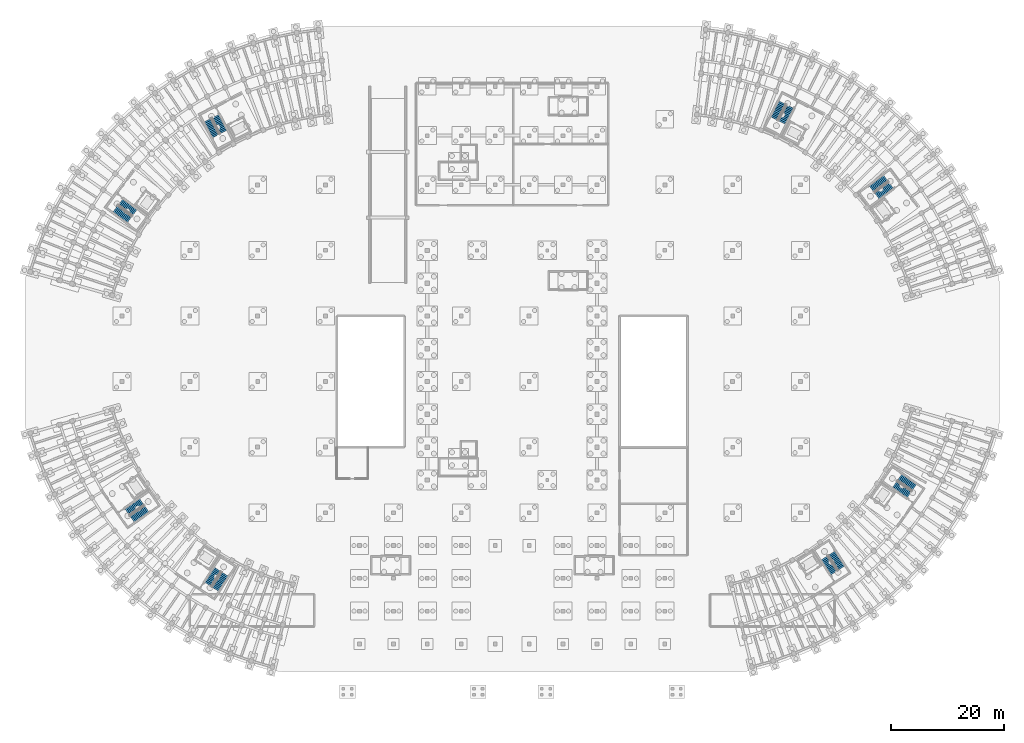
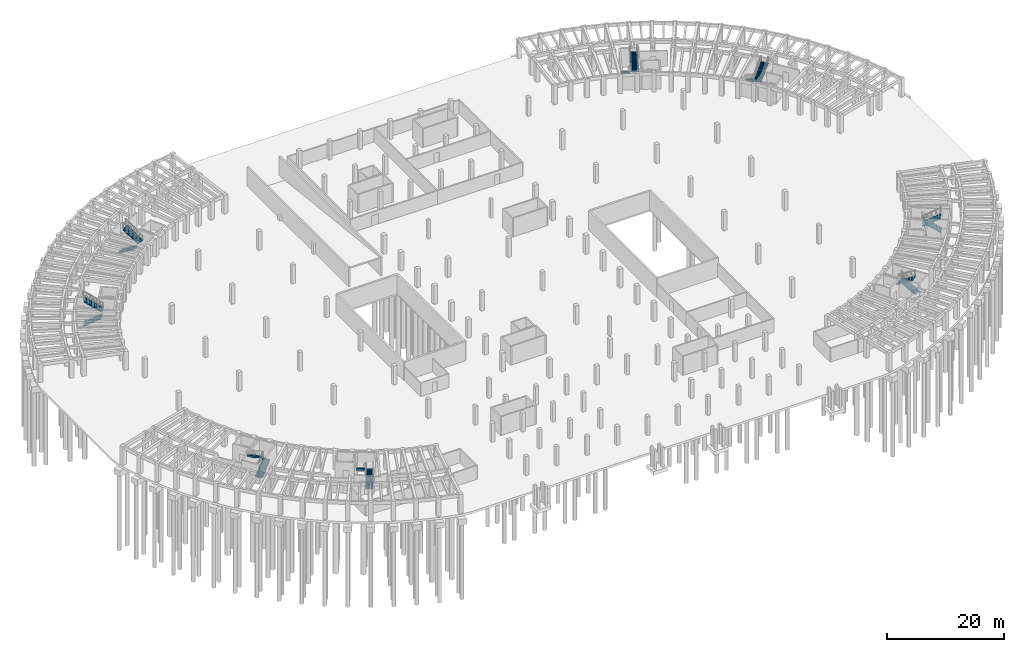
# One storey, part 24 of 29: 16 stair flights, 8 elements without a shape of their own.
"""IFC4 building model written with IfcOpenShell, lengths in metres."""

from ifc_helpers import new_model, si_unit, direction, frame, origin, place, context, subcontext, project, spatial, polyline, outline, extrude, material, layer, layer_set, type_object, element, aggregate, save


model = new_model("IFC4")

# Units and contexts
model_context = context("Model", 3, precision=1e-05, world=origin(), true_north=direction((0.0, 1.0)))
body_context = subcontext(model_context, "Body", "Model", "MODEL_VIEW")
ifc_project = project(units=[si_unit("LENGTHUNIT", "METRE"), si_unit("AREAUNIT", "SQUARE_METRE"), si_unit("VOLUMEUNIT", "CUBIC_METRE"), si_unit("PLANEANGLEUNIT", "RADIAN"), si_unit("MASSUNIT", "GRAM", prefix="KILO")], contexts=[model_context])

# Site, building, storey
site_placement = place(None, origin())
site = spatial("IfcSite", under=ifc_project, at=site_placement, CompositionType="ELEMENT")
building_placement = place(site_placement, origin())
building = spatial("IfcBuilding", under=site, at=building_placement, Name="Tanwirah Colonnade Gardens", CompositionType="ELEMENT")
storey_placement = place(building_placement, frame((0.0, 0.0, -4.199951171875)))
storey = spatial("IfcBuildingStorey", under=building, at=storey_placement, Name="B1", CompositionType="ELEMENT", Elevation=-4.199951171875)

# Stair, stair flights
ifc_material = material(Name="Precast concrete C40/50", Category="concrete")
stair_type = type_object("IfcStairType", Name="ST-RES175", PredefinedType="HALF_TURN_STAIR", material=ifc_material)
stair_1_placement = place(storey_placement, origin())
stair_1 = element("IfcStair", 1, at=stair_1_placement, inside=storey, type_object=stair_type, Name="B1 Block A Core 1 Exit Stair", PredefinedType="HALF_TURN_STAIR")
ifc_layer = layer(ifc_material, 0.1650390625)
ifc_layer_set = layer_set([ifc_layer], Name="Precast concrete C40/50")
stair_flight_type = type_object("IfcStairFlightType", Name="FLT-RES165", PredefinedType="STRAIGHT", material=ifc_layer_set)
stair_flight_1_placement = place(storey_placement, frame((39.148681640625, 103.425048828125, 0.0), z_axis=(0.0, 0.0, 1.0), x_axis=(0.45399049974, -0.891006524188, 0.0)))
stair_flight_1 = element("IfcStairFlight", 2, at=stair_flight_1_placement, type_object=stair_flight_type, Name="ST-A1 flight 1", NumberOfRisers=12, NumberOfTreads=11, PredefinedType="STRAIGHT", RiserHeight=0.175, TreadLength=0.285, context=body_context, shape_type="SweptSolid", body=[
    extrude(outline(polyline([(-0.0048828125, 0.0), (0.0, 0.175048828125), (0.284912109375, 0.175048828125), (0.284912109375, 0.35009765625), (0.570068359375, 0.35009765625), (0.570068359375, 0.52490234375), (0.85498046875, 0.52490234375), (0.85498046875, 0.699951171875), (1.139892578125, 0.699951171875), (1.139892578125, 0.875), (1.425048828125, 0.875), (1.425048828125, 1.050048828125), (1.7099609375, 1.050048828125), (1.7099609375, 1.22509765625), (1.9951171875, 1.22509765625), (1.9951171875, 1.39990234375), (2.280029296875, 1.39990234375), (2.280029296875, 1.574951171875), (2.56494140625, 1.574951171875), (2.56494140625, 1.75), (2.85009765625, 1.75), (2.85009765625, 1.925048828125), (3.135009765625, 1.925048828125), (3.139892578125, 2.10009765625), (3.139892578125, 1.7314453125), (0.3203125, 0.0), (-0.0048828125, 0.0)])), frame((0.0, 0.68994140625, 0.0), z_axis=(0.0, -1.0, 0.0), x_axis=(1.0, 0.0, 0.0)), (0.0, 0.0, 1.0), 1.3798828125),
])
stair_flight_2_placement = place(storey_placement, frame((41.944091796875, 101.330810546875, 2.099853515625), z_axis=(0.0, 0.0, 1.0), x_axis=(-0.45399049974, 0.891006524188, 0.0)))
stair_flight_2 = element("IfcStairFlight", 3, at=stair_flight_2_placement, type_object=stair_flight_type, Name="ST-A1 flight 2", NumberOfRisers=12, NumberOfTreads=11, PredefinedType="STRAIGHT", RiserHeight=0.175, TreadLength=0.285, context=body_context, shape_type="SweptSolid", body=[
    extrude(outline(polyline([(-0.0048828125, 0.0), (0.0, 0.175048828125), (0.284912109375, 0.175048828125), (0.284912109375, 0.35009765625), (0.570068359375, 0.35009765625), (0.570068359375, 0.52490234375), (0.85498046875, 0.52490234375), (0.85498046875, 0.699951171875), (1.139892578125, 0.699951171875), (1.139892578125, 0.875), (1.425048828125, 0.875), (1.425048828125, 1.050048828125), (1.7099609375, 1.050048828125), (1.7099609375, 1.22509765625), (1.9951171875, 1.22509765625), (1.9951171875, 1.39990234375), (2.280029296875, 1.39990234375), (2.280029296875, 1.574951171875), (2.56494140625, 1.574951171875), (2.56494140625, 1.75), (2.85009765625, 1.75), (2.85009765625, 1.925048828125), (3.135009765625, 1.925048828125), (3.139892578125, 2.10009765625), (3.139892578125, 1.7314453125), (0.3203125, 0.0), (-0.0048828125, 0.0)])), frame((0.0, 0.68994140625, 0.0), z_axis=(0.0, -1.0, 0.0), x_axis=(1.0, 0.0, 0.0)), (0.0, 0.0, 1.0), 1.3798828125),
])
aggregate(stair_1, [stair_flight_1, stair_flight_2])

stair_2_placement = place(storey_placement, origin())
stair_2 = element("IfcStair", 4, at=stair_2_placement, inside=storey, type_object=stair_type, Name="B1 Block A Core 2 Exit Stair", PredefinedType="HALF_TURN_STAIR")
stair_flight_3_placement = place(storey_placement, frame((22.81640625, 87.7177734375, 0.0), z_axis=(0.0, 0.0, 1.0), x_axis=(0.798635510047, -0.601815023152, 0.0)))
stair_flight_3 = element("IfcStairFlight", 5, at=stair_flight_3_placement, type_object=stair_flight_type, Name="ST-A2 flight 1", NumberOfRisers=12, NumberOfTreads=11, PredefinedType="STRAIGHT", RiserHeight=0.175, TreadLength=0.285, context=body_context, shape_type="SweptSolid", body=[
    extrude(outline(polyline([(-0.0048828125, 0.0), (0.0, 0.175048828125), (0.284912109375, 0.175048828125), (0.284912109375, 0.35009765625), (0.570068359375, 0.35009765625), (0.570068359375, 0.52490234375), (0.85498046875, 0.52490234375), (0.85498046875, 0.699951171875), (1.139892578125, 0.699951171875), (1.139892578125, 0.875), (1.425048828125, 0.875), (1.425048828125, 1.050048828125), (1.7099609375, 1.050048828125), (1.7099609375, 1.22509765625), (1.9951171875, 1.22509765625), (1.9951171875, 1.39990234375), (2.280029296875, 1.39990234375), (2.280029296875, 1.574951171875), (2.56494140625, 1.574951171875), (2.56494140625, 1.75), (2.85009765625, 1.75), (2.85009765625, 1.925048828125), (3.135009765625, 1.925048828125), (3.139892578125, 2.10009765625), (3.139892578125, 1.7314453125), (0.3203125, 0.0), (-0.0048828125, 0.0)])), frame((0.0, 0.68994140625, 0.0), z_axis=(0.0, -1.0, 0.0), x_axis=(1.0, 0.0, 0.0)), (0.0, 0.0, 1.0), 1.3798828125),
])
stair_flight_4_placement = place(storey_placement, frame((26.246826171875, 87.06103515625, 2.099853515625), z_axis=(0.0, 0.0, 1.0), x_axis=(-0.798635510047, 0.601815023152, 0.0)))
stair_flight_4 = element("IfcStairFlight", 6, at=stair_flight_4_placement, type_object=stair_flight_type, Name="ST-A2 flight 2", NumberOfRisers=12, NumberOfTreads=11, PredefinedType="STRAIGHT", RiserHeight=0.175, TreadLength=0.285, context=body_context, shape_type="SweptSolid", body=[
    extrude(outline(polyline([(-0.0048828125, 0.0), (0.0, 0.175048828125), (0.284912109375, 0.175048828125), (0.284912109375, 0.35009765625), (0.570068359375, 0.35009765625), (0.570068359375, 0.52490234375), (0.85498046875, 0.52490234375), (0.85498046875, 0.699951171875), (1.139892578125, 0.699951171875), (1.139892578125, 0.875), (1.425048828125, 0.875), (1.425048828125, 1.050048828125), (1.7099609375, 1.050048828125), (1.7099609375, 1.22509765625), (1.9951171875, 1.22509765625), (1.9951171875, 1.39990234375), (2.280029296875, 1.39990234375), (2.280029296875, 1.574951171875), (2.56494140625, 1.574951171875), (2.56494140625, 1.75), (2.85009765625, 1.75), (2.85009765625, 1.925048828125), (3.135009765625, 1.925048828125), (3.139892578125, 2.10009765625), (3.139892578125, 1.7314453125), (0.3203125, 0.0), (-0.0048828125, 0.0)])), frame((0.0, 0.68994140625, 0.0), z_axis=(0.0, -1.0, 0.0), x_axis=(1.0, 0.0, 0.0)), (0.0, 0.0, 1.0), 1.3798828125),
])
aggregate(stair_2, [stair_flight_3, stair_flight_4])

stair_3_placement = place(storey_placement, origin())
stair_3 = element("IfcStair", 7, at=stair_3_placement, inside=storey, type_object=stair_type, Name="B1 Block B Core 1 Exit Stair", PredefinedType="HALF_TURN_STAIR")
stair_flight_5_placement = place(storey_placement, frame((159.079345703125, 93.16455078125, 0.0), z_axis=(0.0, 0.0, 1.0), x_axis=(-0.798635510047, -0.601815023152, 0.0)))
stair_flight_5 = element("IfcStairFlight", 8, at=stair_flight_5_placement, type_object=stair_flight_type, Name="ST-B1 flight 1", NumberOfRisers=12, NumberOfTreads=11, PredefinedType="STRAIGHT", RiserHeight=0.175, TreadLength=0.285, context=body_context, shape_type="SweptSolid", body=[
    extrude(outline(polyline([(-0.0048828125, 0.0), (0.0, 0.175048828125), (0.284912109375, 0.175048828125), (0.284912109375, 0.35009765625), (0.570068359375, 0.35009765625), (0.570068359375, 0.52490234375), (0.85498046875, 0.52490234375), (0.85498046875, 0.699951171875), (1.139892578125, 0.699951171875), (1.139892578125, 0.875), (1.425048828125, 0.875), (1.425048828125, 1.050048828125), (1.7099609375, 1.050048828125), (1.7099609375, 1.22509765625), (1.9951171875, 1.22509765625), (1.9951171875, 1.39990234375), (2.280029296875, 1.39990234375), (2.280029296875, 1.574951171875), (2.56494140625, 1.574951171875), (2.56494140625, 1.75), (2.85009765625, 1.75), (2.85009765625, 1.925048828125), (3.135009765625, 1.925048828125), (3.139892578125, 2.10009765625), (3.139892578125, 1.7314453125), (0.3203125, 0.0), (-0.0048828125, 0.0)])), frame((0.0, 0.68994140625, 0.0), z_axis=(0.0, -1.0, 0.0), x_axis=(1.0, 0.0, 0.0)), (0.0, 0.0, 1.0), 1.3798828125),
])
stair_flight_6_placement = place(storey_placement, frame((157.502197265625, 90.0478515625, 2.099853515625), z_axis=(0.0, 0.0, 1.0), x_axis=(0.798635510047, 0.601815023152, 0.0)))
stair_flight_6 = element("IfcStairFlight", 9, at=stair_flight_6_placement, type_object=stair_flight_type, Name="ST-B1 flight 2", NumberOfRisers=12, NumberOfTreads=11, PredefinedType="STRAIGHT", RiserHeight=0.175, TreadLength=0.285, context=body_context, shape_type="SweptSolid", body=[
    extrude(outline(polyline([(-0.0048828125, 0.0), (0.0, 0.175048828125), (0.284912109375, 0.175048828125), (0.284912109375, 0.35009765625), (0.570068359375, 0.35009765625), (0.570068359375, 0.52490234375), (0.85498046875, 0.52490234375), (0.85498046875, 0.699951171875), (1.139892578125, 0.699951171875), (1.139892578125, 0.875), (1.425048828125, 0.875), (1.425048828125, 1.050048828125), (1.7099609375, 1.050048828125), (1.7099609375, 1.22509765625), (1.9951171875, 1.22509765625), (1.9951171875, 1.39990234375), (2.280029296875, 1.39990234375), (2.280029296875, 1.574951171875), (2.56494140625, 1.574951171875), (2.56494140625, 1.75), (2.85009765625, 1.75), (2.85009765625, 1.925048828125), (3.135009765625, 1.925048828125), (3.139892578125, 2.10009765625), (3.139892578125, 1.7314453125), (0.3203125, 0.0), (-0.0048828125, 0.0)])), frame((0.0, 0.68994140625, 0.0), z_axis=(0.0, -1.0, 0.0), x_axis=(1.0, 0.0, 0.0)), (0.0, 0.0, 1.0), 1.3798828125),
])
aggregate(stair_3, [stair_flight_5, stair_flight_6])

stair_4_placement = place(storey_placement, origin())
stair_4 = element("IfcStair", 10, at=stair_4_placement, inside=storey, type_object=stair_type, Name="B1 Block B Core 2 Exit Stair", PredefinedType="HALF_TURN_STAIR")
stair_flight_7_placement = place(storey_placement, frame((140.774658203125, 106.521240234375, 0.0), z_axis=(0.0, 0.0, 1.0), x_axis=(-0.45399049974, -0.891006524188, 0.0)))
stair_flight_7 = element("IfcStairFlight", 11, at=stair_flight_7_placement, type_object=stair_flight_type, Name="ST-B2 flight 1", NumberOfRisers=12, NumberOfTreads=11, PredefinedType="STRAIGHT", RiserHeight=0.175, TreadLength=0.285, context=body_context, shape_type="SweptSolid", body=[
    extrude(outline(polyline([(-0.0048828125, 0.0), (0.0, 0.175048828125), (0.284912109375, 0.175048828125), (0.284912109375, 0.35009765625), (0.570068359375, 0.35009765625), (0.570068359375, 0.52490234375), (0.85498046875, 0.52490234375), (0.85498046875, 0.699951171875), (1.139892578125, 0.699951171875), (1.139892578125, 0.875), (1.425048828125, 0.875), (1.425048828125, 1.050048828125), (1.7099609375, 1.050048828125), (1.7099609375, 1.22509765625), (1.9951171875, 1.22509765625), (1.9951171875, 1.39990234375), (2.280029296875, 1.39990234375), (2.280029296875, 1.574951171875), (2.56494140625, 1.574951171875), (2.56494140625, 1.75), (2.85009765625, 1.75), (2.85009765625, 1.925048828125), (3.135009765625, 1.925048828125), (3.139892578125, 2.10009765625), (3.139892578125, 1.7314453125), (0.3203125, 0.0), (-0.0048828125, 0.0)])), frame((0.0, 0.68994140625, 0.0), z_axis=(0.0, -1.0, 0.0), x_axis=(1.0, 0.0, 0.0)), (0.0, 0.0, 1.0), 1.3798828125),
])
stair_flight_8_placement = place(storey_placement, frame((140.7236328125, 103.02880859375, 2.099853515625), z_axis=(0.0, 0.0, 1.0), x_axis=(0.45399049974, 0.891006524188, 0.0)))
stair_flight_8 = element("IfcStairFlight", 12, at=stair_flight_8_placement, type_object=stair_flight_type, Name="ST-B2 flight 2", NumberOfRisers=12, NumberOfTreads=11, PredefinedType="STRAIGHT", RiserHeight=0.175, TreadLength=0.285, context=body_context, shape_type="SweptSolid", body=[
    extrude(outline(polyline([(-0.0048828125, 0.0), (0.0, 0.175048828125), (0.284912109375, 0.175048828125), (0.284912109375, 0.35009765625), (0.570068359375, 0.35009765625), (0.570068359375, 0.52490234375), (0.85498046875, 0.52490234375), (0.85498046875, 0.699951171875), (1.139892578125, 0.699951171875), (1.139892578125, 0.875), (1.425048828125, 0.875), (1.425048828125, 1.050048828125), (1.7099609375, 1.050048828125), (1.7099609375, 1.22509765625), (1.9951171875, 1.22509765625), (1.9951171875, 1.39990234375), (2.280029296875, 1.39990234375), (2.280029296875, 1.574951171875), (2.56494140625, 1.574951171875), (2.56494140625, 1.75), (2.85009765625, 1.75), (2.85009765625, 1.925048828125), (3.135009765625, 1.925048828125), (3.139892578125, 2.10009765625), (3.139892578125, 1.7314453125), (0.3203125, 0.0), (-0.0048828125, 0.0)])), frame((0.0, 0.68994140625, 0.0), z_axis=(0.0, -1.0, 0.0), x_axis=(1.0, 0.0, 0.0)), (0.0, 0.0, 1.0), 1.3798828125),
])
aggregate(stair_4, [stair_flight_7, stair_flight_8])

stair_5_placement = place(storey_placement, origin())
stair_5 = element("IfcStair", 13, at=stair_5_placement, inside=storey, type_object=stair_type, Name="B1 Block C Core 1 Exit Stair", PredefinedType="HALF_TURN_STAIR")
stair_flight_9_placement = place(storey_placement, frame((25.79345703125, 32.884521484375, 0.0), z_axis=(0.0, 0.0, 1.0), x_axis=(0.819152044289, 0.573576436351, 0.0)))
stair_flight_9 = element("IfcStairFlight", 14, at=stair_flight_9_placement, type_object=stair_flight_type, Name="ST-C1 flight 1", NumberOfRisers=12, NumberOfTreads=11, PredefinedType="STRAIGHT", RiserHeight=0.175, TreadLength=0.285, context=body_context, shape_type="SweptSolid", body=[
    extrude(outline(polyline([(-0.0048828125, 0.0), (0.0, 0.175048828125), (0.284912109375, 0.175048828125), (0.284912109375, 0.35009765625), (0.570068359375, 0.35009765625), (0.570068359375, 0.52490234375), (0.85498046875, 0.52490234375), (0.85498046875, 0.699951171875), (1.139892578125, 0.699951171875), (1.139892578125, 0.875), (1.425048828125, 0.875), (1.425048828125, 1.050048828125), (1.7099609375, 1.050048828125), (1.7099609375, 1.22509765625), (1.9951171875, 1.22509765625), (1.9951171875, 1.39990234375), (2.280029296875, 1.39990234375), (2.280029296875, 1.574951171875), (2.56494140625, 1.574951171875), (2.56494140625, 1.75), (2.85009765625, 1.75), (2.85009765625, 1.925048828125), (3.135009765625, 1.925048828125), (3.139892578125, 2.10009765625), (3.139892578125, 1.7314453125), (0.3203125, 0.0), (-0.0048828125, 0.0)])), frame((0.0, 0.68994140625, 0.0), z_axis=(0.0, -1.0, 0.0), x_axis=(1.0, 0.0, 0.0)), (0.0, 0.0, 1.0), 1.3798828125),
])
stair_flight_10_placement = place(storey_placement, frame((27.478271484375, 35.944091796875, 2.099853515625), z_axis=(0.0, 0.0, 1.0), x_axis=(-0.819152044289, -0.573576436351, 0.0)))
stair_flight_10 = element("IfcStairFlight", 15, at=stair_flight_10_placement, type_object=stair_flight_type, Name="ST-C1 flight 2", NumberOfRisers=12, NumberOfTreads=11, PredefinedType="STRAIGHT", RiserHeight=0.175, TreadLength=0.285, context=body_context, shape_type="SweptSolid", body=[
    extrude(outline(polyline([(-0.0048828125, 0.0), (0.0, 0.175048828125), (0.284912109375, 0.175048828125), (0.284912109375, 0.35009765625), (0.570068359375, 0.35009765625), (0.570068359375, 0.52490234375), (0.85498046875, 0.52490234375), (0.85498046875, 0.699951171875), (1.139892578125, 0.699951171875), (1.139892578125, 0.875), (1.425048828125, 0.875), (1.425048828125, 1.050048828125), (1.7099609375, 1.050048828125), (1.7099609375, 1.22509765625), (1.9951171875, 1.22509765625), (1.9951171875, 1.39990234375), (2.280029296875, 1.39990234375), (2.280029296875, 1.574951171875), (2.56494140625, 1.574951171875), (2.56494140625, 1.75), (2.85009765625, 1.75), (2.85009765625, 1.925048828125), (3.135009765625, 1.925048828125), (3.139892578125, 2.10009765625), (3.139892578125, 1.7314453125), (0.3203125, 0.0), (-0.0048828125, 0.0)])), frame((0.0, 0.68994140625, 0.0), z_axis=(0.0, -1.0, 0.0), x_axis=(1.0, 0.0, 0.0)), (0.0, 0.0, 1.0), 1.3798828125),
])
aggregate(stair_5, [stair_flight_9, stair_flight_10])

stair_6_placement = place(storey_placement, origin())
stair_6 = element("IfcStair", 16, at=stair_6_placement, inside=storey, type_object=stair_type, Name="B1 Block C Core 2 Exit Stair", PredefinedType="HALF_TURN_STAIR")
stair_flight_11_placement = place(storey_placement, frame((40.49169921875, 20.49951171875, 0.0), z_axis=(0.0, 0.0, 1.0), x_axis=(0.544639035015, 0.838670567945, 0.0)))
stair_flight_11 = element("IfcStairFlight", 17, at=stair_flight_11_placement, type_object=stair_flight_type, Name="ST-C2 flight 1", NumberOfRisers=12, NumberOfTreads=11, PredefinedType="STRAIGHT", RiserHeight=0.175, TreadLength=0.285, context=body_context, shape_type="SweptSolid", body=[
    extrude(outline(polyline([(-0.0048828125, 0.0), (0.0, 0.175048828125), (0.284912109375, 0.175048828125), (0.284912109375, 0.35009765625), (0.570068359375, 0.35009765625), (0.570068359375, 0.52490234375), (0.85498046875, 0.52490234375), (0.85498046875, 0.699951171875), (1.139892578125, 0.699951171875), (1.139892578125, 0.875), (1.425048828125, 0.875), (1.425048828125, 1.050048828125), (1.7099609375, 1.050048828125), (1.7099609375, 1.22509765625), (1.9951171875, 1.22509765625), (1.9951171875, 1.39990234375), (2.280029296875, 1.39990234375), (2.280029296875, 1.574951171875), (2.56494140625, 1.574951171875), (2.56494140625, 1.75), (2.85009765625, 1.75), (2.85009765625, 1.925048828125), (3.135009765625, 1.925048828125), (3.139892578125, 2.10009765625), (3.139892578125, 1.7314453125), (0.3203125, 0.0), (-0.0048828125, 0.0)])), frame((0.0, 0.68994140625, 0.0), z_axis=(0.0, -1.0, 0.0), x_axis=(1.0, 0.0, 0.0)), (0.0, 0.0, 1.0), 1.3798828125),
])
stair_flight_12_placement = place(storey_placement, frame((40.90771484375, 23.967529296875, 2.099853515625), z_axis=(0.0, 0.0, 1.0), x_axis=(-0.544639035015, -0.838670567945, 0.0)))
stair_flight_12 = element("IfcStairFlight", 18, at=stair_flight_12_placement, type_object=stair_flight_type, Name="ST-C2 flight 2", NumberOfRisers=12, NumberOfTreads=11, PredefinedType="STRAIGHT", RiserHeight=0.175, TreadLength=0.285, context=body_context, shape_type="SweptSolid", body=[
    extrude(outline(polyline([(-0.0048828125, 0.0), (0.0, 0.175048828125), (0.284912109375, 0.175048828125), (0.284912109375, 0.35009765625), (0.570068359375, 0.35009765625), (0.570068359375, 0.52490234375), (0.85498046875, 0.52490234375), (0.85498046875, 0.699951171875), (1.139892578125, 0.699951171875), (1.139892578125, 0.875), (1.425048828125, 0.875), (1.425048828125, 1.050048828125), (1.7099609375, 1.050048828125), (1.7099609375, 1.22509765625), (1.9951171875, 1.22509765625), (1.9951171875, 1.39990234375), (2.280029296875, 1.39990234375), (2.280029296875, 1.574951171875), (2.56494140625, 1.574951171875), (2.56494140625, 1.75), (2.85009765625, 1.75), (2.85009765625, 1.925048828125), (3.135009765625, 1.925048828125), (3.139892578125, 2.10009765625), (3.139892578125, 1.7314453125), (0.3203125, 0.0), (-0.0048828125, 0.0)])), frame((0.0, 0.68994140625, 0.0), z_axis=(0.0, -1.0, 0.0), x_axis=(1.0, 0.0, 0.0)), (0.0, 0.0, 1.0), 1.3798828125),
])
aggregate(stair_6, [stair_flight_11, stair_flight_12])

stair_7_placement = place(storey_placement, origin())
stair_7 = element("IfcStair", 19, at=stair_7_placement, inside=storey, type_object=stair_type, Name="B1 Block D Core 1 Exit Stair", PredefinedType="HALF_TURN_STAIR")
stair_flight_13_placement = place(storey_placement, frame((151.22802734375, 24.214111328125, 0.0), z_axis=(0.0, 0.0, 1.0), x_axis=(-0.544639035015, 0.838670567945, 0.0)))
stair_flight_13 = element("IfcStairFlight", 20, at=stair_flight_13_placement, type_object=stair_flight_type, Name="ST-D1 flight 1", NumberOfRisers=12, NumberOfTreads=11, PredefinedType="STRAIGHT", RiserHeight=0.175, TreadLength=0.285, context=body_context, shape_type="SweptSolid", body=[
    extrude(outline(polyline([(-0.0048828125, 0.0), (0.0, 0.175048828125), (0.284912109375, 0.175048828125), (0.284912109375, 0.35009765625), (0.570068359375, 0.35009765625), (0.570068359375, 0.52490234375), (0.85498046875, 0.52490234375), (0.85498046875, 0.699951171875), (1.139892578125, 0.699951171875), (1.139892578125, 0.875), (1.425048828125, 0.875), (1.425048828125, 1.050048828125), (1.7099609375, 1.050048828125), (1.7099609375, 1.22509765625), (1.9951171875, 1.22509765625), (1.9951171875, 1.39990234375), (2.280029296875, 1.39990234375), (2.280029296875, 1.574951171875), (2.56494140625, 1.574951171875), (2.56494140625, 1.75), (2.85009765625, 1.75), (2.85009765625, 1.925048828125), (3.135009765625, 1.925048828125), (3.139892578125, 2.10009765625), (3.139892578125, 1.7314453125), (0.3203125, 0.0), (-0.0048828125, 0.0)])), frame((0.0, 0.68994140625, 0.0), z_axis=(0.0, -1.0, 0.0), x_axis=(1.0, 0.0, 0.0)), (0.0, 0.0, 1.0), 1.3798828125),
])
stair_flight_14_placement = place(storey_placement, frame((148.22900390625, 26.00439453125, 2.099853515625), z_axis=(0.0, 0.0, 1.0), x_axis=(0.544639035015, -0.838670567945, 0.0)))
stair_flight_14 = element("IfcStairFlight", 21, at=stair_flight_14_placement, type_object=stair_flight_type, Name="ST-D1 flight 2", NumberOfRisers=12, NumberOfTreads=11, PredefinedType="STRAIGHT", RiserHeight=0.175, TreadLength=0.285, context=body_context, shape_type="SweptSolid", body=[
    extrude(outline(polyline([(-0.0048828125, 0.0), (0.0, 0.175048828125), (0.284912109375, 0.175048828125), (0.284912109375, 0.35009765625), (0.570068359375, 0.35009765625), (0.570068359375, 0.52490234375), (0.85498046875, 0.52490234375), (0.85498046875, 0.699951171875), (1.139892578125, 0.699951171875), (1.139892578125, 0.875), (1.425048828125, 0.875), (1.425048828125, 1.050048828125), (1.7099609375, 1.050048828125), (1.7099609375, 1.22509765625), (1.9951171875, 1.22509765625), (1.9951171875, 1.39990234375), (2.280029296875, 1.39990234375), (2.280029296875, 1.574951171875), (2.56494140625, 1.574951171875), (2.56494140625, 1.75), (2.85009765625, 1.75), (2.85009765625, 1.925048828125), (3.135009765625, 1.925048828125), (3.139892578125, 2.10009765625), (3.139892578125, 1.7314453125), (0.3203125, 0.0), (-0.0048828125, 0.0)])), frame((0.0, 0.68994140625, 0.0), z_axis=(0.0, -1.0, 0.0), x_axis=(1.0, 0.0, 0.0)), (0.0, 0.0, 1.0), 1.3798828125),
])
aggregate(stair_7, [stair_flight_13, stair_flight_14])

stair_8_placement = place(storey_placement, origin())
stair_8 = element("IfcStair", 22, at=stair_8_placement, inside=storey, type_object=stair_type, Name="B1 Block D Core 2 Exit Stair", PredefinedType="HALF_TURN_STAIR")
stair_flight_15_placement = place(storey_placement, frame((164.1181640625, 38.47119140625, 0.0), z_axis=(0.0, 0.0, 1.0), x_axis=(-0.819152044289, 0.573576436351, 0.0)))
stair_flight_15 = element("IfcStairFlight", 23, at=stair_flight_15_placement, type_object=stair_flight_type, Name="ST-D2 flight 1", NumberOfRisers=12, NumberOfTreads=11, PredefinedType="STRAIGHT", RiserHeight=0.175, TreadLength=0.285, context=body_context, shape_type="SweptSolid", body=[
    extrude(outline(polyline([(-0.0048828125, 0.0), (0.0, 0.175048828125), (0.284912109375, 0.175048828125), (0.284912109375, 0.35009765625), (0.570068359375, 0.35009765625), (0.570068359375, 0.52490234375), (0.85498046875, 0.52490234375), (0.85498046875, 0.699951171875), (1.139892578125, 0.699951171875), (1.139892578125, 0.875), (1.425048828125, 0.875), (1.425048828125, 1.050048828125), (1.7099609375, 1.050048828125), (1.7099609375, 1.22509765625), (1.9951171875, 1.22509765625), (1.9951171875, 1.39990234375), (2.280029296875, 1.39990234375), (2.280029296875, 1.574951171875), (2.56494140625, 1.574951171875), (2.56494140625, 1.75), (2.85009765625, 1.75), (2.85009765625, 1.925048828125), (3.135009765625, 1.925048828125), (3.139892578125, 2.10009765625), (3.139892578125, 1.7314453125), (0.3203125, 0.0), (-0.0048828125, 0.0)])), frame((0.0, 0.68994140625, 0.0), z_axis=(0.0, -1.0, 0.0), x_axis=(1.0, 0.0, 0.0)), (0.0, 0.0, 1.0), 1.3798828125),
])
stair_flight_16_placement = place(storey_placement, frame((160.6669921875, 39.0078125, 2.099853515625), z_axis=(0.0, 0.0, 1.0), x_axis=(0.819152044289, -0.573576436351, 0.0)))
stair_flight_16 = element("IfcStairFlight", 24, at=stair_flight_16_placement, type_object=stair_flight_type, Name="ST-D2 flight 2", NumberOfRisers=12, NumberOfTreads=11, PredefinedType="STRAIGHT", RiserHeight=0.175, TreadLength=0.285, context=body_context, shape_type="SweptSolid", body=[
    extrude(outline(polyline([(-0.0048828125, 0.0), (0.0, 0.175048828125), (0.284912109375, 0.175048828125), (0.284912109375, 0.35009765625), (0.570068359375, 0.35009765625), (0.570068359375, 0.52490234375), (0.85498046875, 0.52490234375), (0.85498046875, 0.699951171875), (1.139892578125, 0.699951171875), (1.139892578125, 0.875), (1.425048828125, 0.875), (1.425048828125, 1.050048828125), (1.7099609375, 1.050048828125), (1.7099609375, 1.22509765625), (1.9951171875, 1.22509765625), (1.9951171875, 1.39990234375), (2.280029296875, 1.39990234375), (2.280029296875, 1.574951171875), (2.56494140625, 1.574951171875), (2.56494140625, 1.75), (2.85009765625, 1.75), (2.85009765625, 1.925048828125), (3.135009765625, 1.925048828125), (3.139892578125, 2.10009765625), (3.139892578125, 1.7314453125), (0.3203125, 0.0), (-0.0048828125, 0.0)])), frame((0.0, 0.68994140625, 0.0), z_axis=(0.0, -1.0, 0.0), x_axis=(1.0, 0.0, 0.0)), (0.0, 0.0, 1.0), 1.3798828125),
])
aggregate(stair_8, [stair_flight_15, stair_flight_16])

save(model, "model.ifc")
